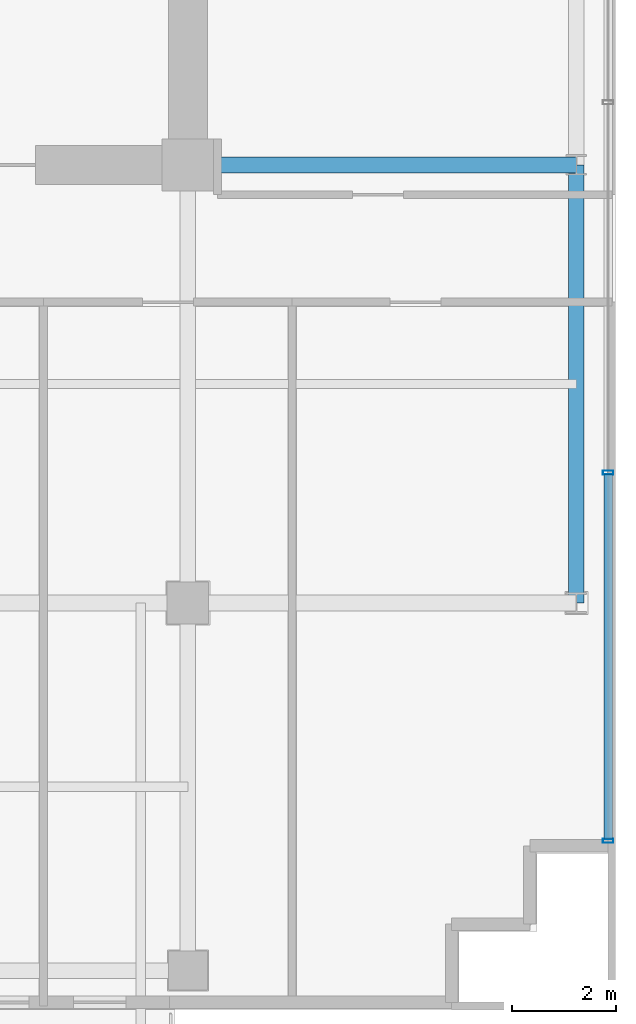
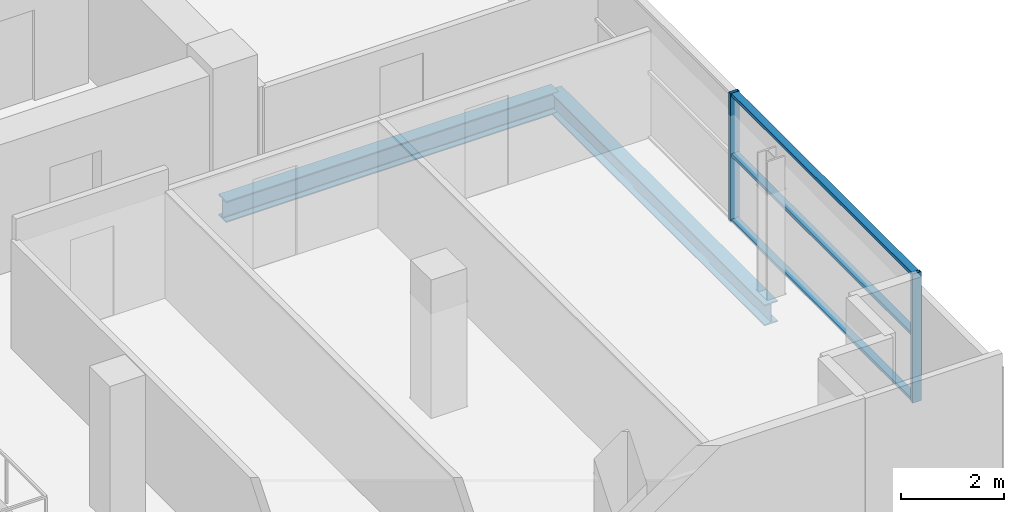
# One storey, part 6 of 21: 5 members, 2 beams, 1 element without a shape of its own.
"""IFC4 building model written with IfcOpenShell, lengths in metres."""

from ifc_helpers import new_model, si_unit, direction, frame, origin, origin_2d, place, context, subcontext, project, spatial, hollow_rectangle, i_section, extrude, source, transform, mapped, material, layer, layer_set, material_profile, profile_set, type_object, element, aggregate, save


model = new_model("IFC4")

# Units and contexts
model_context = context("Model", 3, precision=1e-05, world=origin(), true_north=direction((0.0, 1.0)))
body_context = subcontext(model_context, "Body", "Model", "MODEL_VIEW")
ifc_project = project(units=[si_unit("LENGTHUNIT", "METRE"), si_unit("AREAUNIT", "SQUARE_METRE"), si_unit("VOLUMEUNIT", "CUBIC_METRE"), si_unit("PLANEANGLEUNIT", "RADIAN"), si_unit("MASSUNIT", "GRAM", prefix="KILO")], contexts=[model_context])

# Site, building, storey
site_placement = place(None, origin())
site = spatial("IfcSite", under=ifc_project, at=site_placement, CompositionType="ELEMENT")
building_placement = place(site_placement, origin())
building = spatial("IfcBuilding", under=site, at=building_placement, Name="Zarnakvel Exchange Tower", CompositionType="ELEMENT")
storey_placement = place(building_placement, frame((0.0, 0.0, 152.800048828125)))
storey = spatial("IfcBuildingStorey", under=building, at=storey_placement, Name="L42", CompositionType="ELEMENT", Elevation=152.800048828125)

# Beams
ifc_material_1 = material(Name="Steel S355", Category="steel")
ifc_material_profile_1 = material_profile(ifc_material_1, i_section(OverallWidth=0.300048828125, OverallDepth=0.5, WebThickness=0.014404296875, FlangeThickness=0.028076171875, FilletRadius=0.027099609375, at=origin_2d()))
ifc_profile_set_1 = profile_set([ifc_material_profile_1], Name="Steel S355")
beam_type_1 = type_object("IfcBeamType", Name="G-06", PredefinedType="BEAM", material=ifc_profile_set_1)
beam_1_placement = place(storey_placement, frame((14.39990234375, -1.199951171875, -0.47509765625), z_axis=(1.0, 0.0, 0.0), x_axis=(0.0, 1.0, 0.0)))
element("IfcBeam", 1, at=beam_1_placement, inside=storey, type_object=beam_type_1, Name="L42 Tower E-W Frame Beam", PredefinedType="BEAM", context=body_context, shape_type="SweptSolid", body=[
    extrude(i_section(OverallWidth=0.300048828125, OverallDepth=0.5, WebThickness=0.014404296875, FlangeThickness=0.028076171875, FilletRadius=0.027099609375, at=origin_2d()), origin(), (0.0, 0.0, 1.0), 7.4501953125),
])
ifc_material_profile_2 = material_profile(ifc_material_1, i_section(OverallWidth=0.300048828125, OverallDepth=0.5, WebThickness=0.014404296875, FlangeThickness=0.028076171875, FilletRadius=0.027099609375, at=origin_2d()))
ifc_profile_set_2 = profile_set([ifc_material_profile_2], Name="Steel S355")
beam_type_2 = type_object("IfcBeamType", Name="SP-02", PredefinedType="SPANDREL", material=ifc_profile_set_2)
beam_2_placement = place(storey_placement, frame((21.85009765625, -9.60009765625, -0.47509765625), z_axis=(0.0, 1.0, 0.0), x_axis=(-1.0, 0.0, 0.0)))
element("IfcBeam", 2, at=beam_2_placement, inside=storey, type_object=beam_type_2, Name="L42 Tower N-S Frame Beam", PredefinedType="SPANDREL", context=body_context, shape_type="SweptSolid", body=[
    extrude(i_section(OverallWidth=0.300048828125, OverallDepth=0.5, WebThickness=0.014404296875, FlangeThickness=0.028076171875, FilletRadius=0.027099609375, at=origin_2d()), origin(), (0.0, 0.0, 1.0), 8.400146484375),
])

# Curtain wall, members
ifc_material_2 = material(Name="Architectural Bronze Anodised Aluminium", Category="aluminium")
ifc_layer = layer(ifc_material_2, 0.199951171875)
ifc_layer_set = layer_set([ifc_layer], Name="Architectural Bronze Anodised Aluminium")
curtain_wall_type = type_object("IfcCurtainWallType", Name="CW-04", PredefinedType="NOTDEFINED", material=ifc_layer_set)
curtain_wall_placement = place(storey_placement, origin())
curtain_wall = element("IfcCurtainWall", 3, at=curtain_wall_placement, inside=storey, type_object=curtain_wall_type, Name="L42 Curtain Wall CW-L42-E1 (CW-04)", PredefinedType="NOTDEFINED")
ifc_material_profile_3 = material_profile(ifc_material_2, hollow_rectangle(XDim=0.199951171875, YDim=0.074951171875, WallThickness=0.0048828125, at=origin_2d()))
ifc_profile_set_3 = profile_set([ifc_material_profile_3], Name="Architectural Bronze Anodised Aluminium")
member_type_1 = type_object("IfcMemberType", Name="CWM-04", PredefinedType="MULLION", material=ifc_profile_set_3)
shared_shape_1 = source(origin(), body_context, "Body", "SweptSolid", [
    extrude(hollow_rectangle(XDim=0.199951171875, YDim=0.074951171875, WallThickness=0.0048828125, at=origin_2d()), origin(), (0.0, 0.0, 1.0), 3.054931640625),
])
member_1_placement = place(storey_placement, frame((22.4599609375, -14.16259765625, 0.0), z_axis=(0.0, 0.0, 1.0), x_axis=(-1.0, 0.0, 0.0)))
member_1 = element("IfcMember", 4, at=member_1_placement, type_object=member_type_1, Name="CW-04 mullion 1", PredefinedType="MULLION", context=body_context, shape_type="MappedRepresentation", body=[
    mapped(shared_shape_1, transform((0.0, 0.0, 0.0), x_axis=(1.0, 0.0, 0.0), y_axis=(0.0, 1.0, 0.0), z_axis=(0.0, 0.0, 1.0), scale=1.0)),
])
member_2_placement = place(storey_placement, frame((22.4599609375, -7.10009765625, 0.0), z_axis=(0.0, 0.0, 1.0), x_axis=(-1.0, 0.0, 0.0)))
member_2 = element("IfcMember", 5, at=member_2_placement, type_object=member_type_1, Name="CW-04 mullion 2", PredefinedType="MULLION", context=body_context, shape_type="MappedRepresentation", body=[
    mapped(shared_shape_1, transform((0.0, 0.0, 0.0), x_axis=(1.0, 0.0, 0.0), y_axis=(0.0, 1.0, 0.0), z_axis=(0.0, 0.0, 1.0), scale=1.0)),
])
ifc_material_profile_4 = material_profile(ifc_material_2, hollow_rectangle(XDim=0.159912109375, YDim=0.074951171875, WallThickness=0.00390625, at=origin_2d()))
ifc_profile_set_4 = profile_set([ifc_material_profile_4], Name="Architectural Bronze Anodised Aluminium")
member_type_2 = type_object("IfcMemberType", Name="CWT-04", PredefinedType="USERDEFINED", material=ifc_profile_set_4)
shared_shape_2 = source(origin(), body_context, "Body", "SweptSolid", [
    extrude(hollow_rectangle(XDim=0.159912109375, YDim=0.074951171875, WallThickness=0.00390625, at=origin_2d()), origin(), (0.0, 0.0, 1.0), 6.987548828125),
])
member_3_placement = place(storey_placement, frame((22.4599609375, -14.125, 0.037353515625), z_axis=(0.0, 1.0, 0.0), x_axis=(-1.0, 0.0, 0.0)))
member_3 = element("IfcMember", 6, at=member_3_placement, type_object=member_type_2, Name="CW-04 transom 1.1", ObjectType="TRANSOM", PredefinedType="USERDEFINED", context=body_context, shape_type="MappedRepresentation", body=[
    mapped(shared_shape_2, transform((0.0, 0.0, 0.0), x_axis=(1.0, 0.0, 0.0), y_axis=(0.0, 1.0, 0.0), z_axis=(0.0, 0.0, 1.0), scale=1.0)),
])
member_4_placement = place(storey_placement, frame((22.4599609375, -14.125, 1.588623046875), z_axis=(0.0, 1.0, 0.0), x_axis=(-1.0, 0.0, 0.0)))
member_4 = element("IfcMember", 7, at=member_4_placement, type_object=member_type_2, Name="CW-04 transom 1.2", ObjectType="TRANSOM", PredefinedType="USERDEFINED", context=body_context, shape_type="MappedRepresentation", body=[
    mapped(shared_shape_2, transform((0.0, 0.0, 0.0), x_axis=(1.0, 0.0, 0.0), y_axis=(0.0, 1.0, 0.0), z_axis=(0.0, 0.0, 1.0), scale=1.0)),
])
member_5_placement = place(storey_placement, frame((22.4599609375, -14.125, 3.017333984375), z_axis=(0.0, 1.0, 0.0), x_axis=(-1.0, 0.0, 0.0)))
member_5 = element("IfcMember", 8, at=member_5_placement, type_object=member_type_2, Name="CW-04 transom 1.3", ObjectType="TRANSOM", PredefinedType="USERDEFINED", context=body_context, shape_type="MappedRepresentation", body=[
    mapped(shared_shape_2, transform((0.0, 0.0, 0.0), x_axis=(1.0, 0.0, 0.0), y_axis=(0.0, 1.0, 0.0), z_axis=(0.0, 0.0, 1.0), scale=1.0)),
])
aggregate(curtain_wall, [member_1, member_2, member_3, member_4, member_5])

save(model, "model.ifc")
